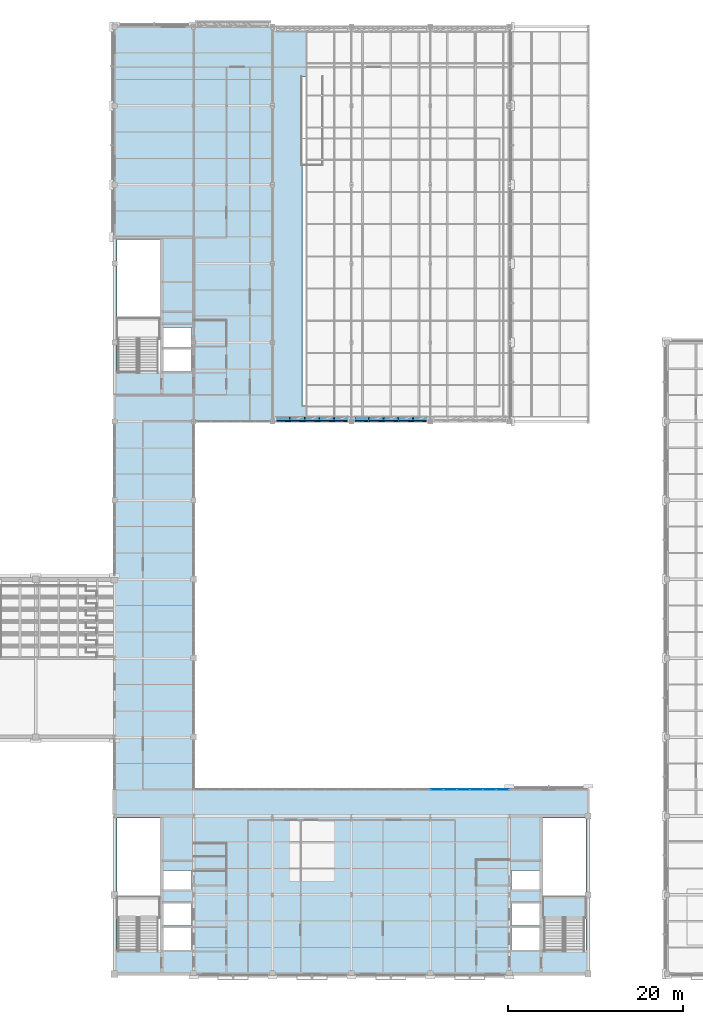
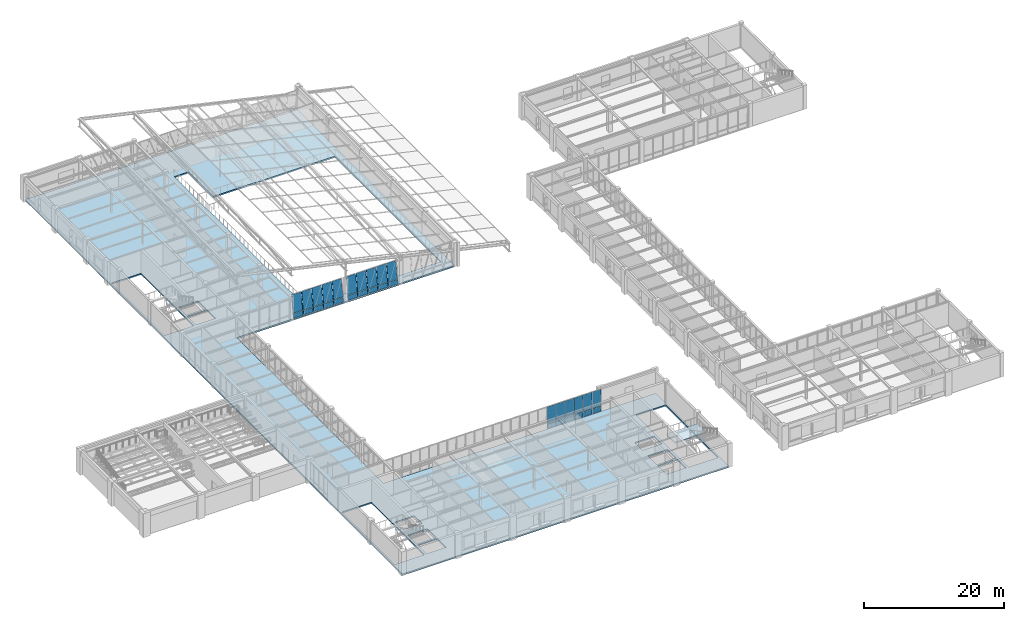
# One storey, part 103 of 130: 32 plates, 2 slabs, 8 openings, 4 elements without a shape of their own.
"""IFC4 building model written with IfcOpenShell, lengths in metres."""

import ifcopenshell
import ifcopenshell.guid

model = None  # the IFC model being written
_history = None  # IfcOwnerHistory: only IFC2X3 demands one
_inside = {}  # id of a spatial element -> (the spatial element, [elements in it])
_under = {}  # id of a project, library or spatial element -> (it, [spatial elements below it])
_declared = {}  # id of a project -> (the project, [libraries it declares])
_typed = {}  # id of a type object -> (the type object, [elements of that type])
_made_of = {}  # id of a material, layer set ... -> (it, [elements and type objects made of it])


def new_model(schema):
    """Start an empty IFC model of exactly this schema.

    Asked for "IFC4X3", IfcOpenShell would pick the latest addendum, in which some entities
    have other attributes; the version numbers below select the first issue.
    IFC2X3 requires an IfcOwnerHistory on every rooted entity: one is made here for all.
    """
    global model, _history
    if schema == "IFC4X3":
        model = ifcopenshell.file(schema_version=(4, 3, 0, 0))
    else:
        model = ifcopenshell.file(schema=schema)
    _inside.clear()
    _under.clear()
    _declared.clear()
    _typed.clear()
    _made_of.clear()
    _history = None
    if model.schema == "IFC2X3":
        org = make("IfcOrganization", Name="unknown")
        user = make(
            "IfcPersonAndOrganization",
            ThePerson=make("IfcPerson", FamilyName="unknown"),
            TheOrganization=org,
        )
        app = make(
            "IfcApplication",
            ApplicationDeveloper=org,
            Version="unknown",
            ApplicationFullName="unknown",
            ApplicationIdentifier="unknown",
        )
        _history = make(
            "IfcOwnerHistory",
            OwningUser=user,
            OwningApplication=app,
            ChangeAction="ADDED",
            CreationDate=0,
        )
    return model


def make(cls, **values):
    """One entity of the class cls with the attributes given. An attribute that is None is left unset."""
    return model.create_entity(
        cls, **{name: value for name, value in values.items() if value is not None}
    )


def rooted(cls, **values):
    """An entity with a GlobalId (a new one), such as an element, a storey or a relation."""
    return make(cls, GlobalId=ifcopenshell.guid.new(), OwnerHistory=_history, **values)


def si_unit(unit_type, name, prefix=None):
    """IfcSIUnit, for example si_unit("LENGTHUNIT", "METRE", prefix="MILLI")."""
    return make("IfcSIUnit", UnitType=unit_type, Prefix=prefix, Name=name)


def assignment(units):
    """IfcUnitAssignment: the units of a project."""
    return None if units is None else make("IfcUnitAssignment", Units=units)


def point(xyz):
    """IfcCartesianPoint."""
    return None if xyz is None else make("IfcCartesianPoint", Coordinates=xyz)


def direction(xyz):
    """IfcDirection."""
    return None if xyz is None else make("IfcDirection", DirectionRatios=xyz)


def frame(location, z_axis=None, x_axis=None):
    """IfcAxis2Placement3D, a coordinate frame: its origin and axes. An axis left out is left unset."""
    return make(
        "IfcAxis2Placement3D",
        Location=point(location),
        Axis=direction(z_axis),
        RefDirection=direction(x_axis),
    )


def frame_2d(location, x_axis=None):
    """IfcAxis2Placement2D, a coordinate frame in the plane: its origin and x axis."""
    return make(
        "IfcAxis2Placement2D", Location=point(location), RefDirection=direction(x_axis)
    )


def origin():
    """The frame at (0, 0, 0) with its axes left unset."""
    return frame((0.0, 0.0, 0.0))


def origin_2d():
    """The frame at (0, 0) in the plane with its x axis left unset."""
    return frame_2d((0.0, 0.0))


def place(relative_to, where):
    """IfcLocalPlacement: puts the frame where relative to a parent placement (None: the world)."""
    return make(
        "IfcLocalPlacement", PlacementRelTo=relative_to, RelativePlacement=where
    )


def context(
    kind, dimensions, precision=None, world=None, true_north=None, identifier=None
):
    """IfcGeometricRepresentationContext, for example the 3D "Model" context."""
    return make(
        "IfcGeometricRepresentationContext",
        ContextIdentifier=identifier,
        ContextType=kind,
        CoordinateSpaceDimension=dimensions,
        Precision=precision,
        WorldCoordinateSystem=world,
        TrueNorth=true_north,
    )


def subcontext(parent, identifier, kind, view, scale=None):
    """IfcGeometricRepresentationSubContext, for example "Body" below "Model"."""
    return make(
        "IfcGeometricRepresentationSubContext",
        ContextIdentifier=identifier,
        ContextType=kind,
        ParentContext=parent,
        TargetScale=scale,
        TargetView=view,
    )


def project(units=None, contexts=None):
    """IfcProject with its units and contexts."""
    return rooted(
        "IfcProject",
        Name="project",
        RepresentationContexts=contexts,
        UnitsInContext=assignment(units),
    )


def spatial(cls, under=None, at=None, **own):
    """A site, building, storey or space (cls), placed at a placement, below another one or the project."""
    s = rooted(cls, ObjectPlacement=at, **own)
    if under is not None:
        _under.setdefault(under.id(), (under, []))[1].append(s)
    return s


def polyline(points):
    """IfcPolyline through the points."""
    return make("IfcPolyline", Points=[point(p) for p in points])


def profile(cls, at=None, kind="AREA", **sizes):
    """A parametric profile (cls). Its sizes go by their IFC names, for example OverallWidth=200.0."""
    return make(cls, ProfileType=kind, Position=at, **sizes)


def rectangle(**sizes):
    """IfcRectangleProfileDef."""
    return profile("IfcRectangleProfileDef", **sizes)


def outline(outer, holes=None, kind="AREA"):
    """IfcArbitraryClosedProfileDef: a profile drawn as a closed curve; with holes, ...WithVoids."""
    if holes is None:
        return make("IfcArbitraryClosedProfileDef", ProfileType=kind, OuterCurve=outer)
    return make(
        "IfcArbitraryProfileDefWithVoids",
        ProfileType=kind,
        OuterCurve=outer,
        InnerCurves=holes,
    )


def extrude(swept, where, along, depth):
    """IfcExtrudedAreaSolid: the profile swept, set in the frame where, extruded along a direction by depth."""
    return make(
        "IfcExtrudedAreaSolid",
        SweptArea=swept,
        Position=where,
        ExtrudedDirection=direction(along),
        Depth=depth,
    )


def shape(context_of_items, identifier, shape_type, items):
    """IfcShapeRepresentation: the items that make up one representation, for example the "Body"."""
    return make(
        "IfcShapeRepresentation",
        ContextOfItems=context_of_items,
        RepresentationIdentifier=identifier,
        RepresentationType=shape_type,
        Items=items,
    )


def material(Name=None, Category=None):
    """IfcMaterial."""
    return make("IfcMaterial", Name=Name, Category=Category)


def layer(
    of_material, thickness, ventilated=None, Name=None, Category=None, Priority=None
):
    """IfcMaterialLayer: one layer of a wall or slab, of a material (None: an air gap)."""
    return make(
        "IfcMaterialLayer",
        Material=of_material,
        LayerThickness=thickness,
        IsVentilated=ventilated,
        Name=Name,
        Category=Category,
        Priority=Priority,
    )


def layer_set(layers, Name=None):
    """IfcMaterialLayerSet."""
    return make("IfcMaterialLayerSet", MaterialLayers=layers, LayerSetName=Name)


def made_of(thing, what):
    """Note that an element or type object is made of a material, layer set ...; save() writes the relation."""
    if what is not None:
        _made_of.setdefault(what.id(), (what, []))[1].append(thing)
    return thing


def type_object(cls, material=None, **own):
    """A type object (cls), such as IfcWallType, which elements share."""
    return made_of(rooted(cls, **own), material)


def element(
    cls,
    number,
    at=None,
    inside=None,
    cuts=None,
    type_object=None,
    material=None,
    context=None,
    identifier="Body",
    shape_type=None,
    held_by="IfcProductDefinitionShape",
    body=None,
    shapes=None,
    **own,
):
    """One element of the class cls, such as IfcWall. Its Tag is "e" and its number.

    at: its placement. inside: the storey or other place that contains it. cuts: it is an
    opening in that element (IfcRelVoidsElement). A single representation is given by context,
    identifier, shape_type and body (its items); several are given by shapes. held_by: the class
    of the entity that holds the representations. save() writes the other relations.
    """
    e = rooted(cls, Tag="e%d" % number, ObjectPlacement=at, **own)
    if body is not None:
        shapes = [shape(context, identifier, shape_type, body)]
    if shapes is not None:
        e.Representation = make(held_by, Representations=shapes)
    if inside is not None:
        _inside.setdefault(inside.id(), (inside, []))[1].append(e)
    if cuts is not None:
        rooted(
            "IfcRelVoidsElement", RelatingBuildingElement=cuts, RelatedOpeningElement=e
        )
    if type_object is not None:
        _typed.setdefault(type_object.id(), (type_object, []))[1].append(e)
    return made_of(e, material)


def aggregate(whole, parts):
    """IfcRelAggregates: a whole, such as a stair, and the parts it consists of."""
    return rooted("IfcRelAggregates", RelatingObject=whole, RelatedObjects=parts)


def save(model, path):
    """Write the relations noted so far, then the file.

    IfcRelAggregates (storeys below a building ...), IfcRelContainedInSpatialStructure (elements
    in a storey), IfcRelDefinesByType, IfcRelAssociatesMaterial and IfcRelDeclares: one each for
    every whole, place, type object, material and project.
    """
    for whole, parts in _under.values():
        aggregate(whole, parts)
    for where, things in _inside.values():
        rooted(
            "IfcRelContainedInSpatialStructure",
            RelatedElements=things,
            RelatingStructure=where,
        )
    for kind, things in _typed.values():
        rooted("IfcRelDefinesByType", RelatedObjects=things, RelatingType=kind)
    for what, things in _made_of.values():
        rooted("IfcRelAssociatesMaterial", RelatedObjects=things, RelatingMaterial=what)
    for by, libraries in _declared.values():
        rooted("IfcRelDeclares", RelatingContext=by, RelatedDefinitions=libraries)
    model.write(path)


model = new_model("IFC4")

# Units and contexts
model_context = context("Model", 3, precision=1e-05, world=origin(), true_north=direction((0.0, 1.0)))
body_context = subcontext(model_context, "Body", "Model", "MODEL_VIEW")
ifc_project = project(units=[si_unit("LENGTHUNIT", "METRE"), si_unit("AREAUNIT", "SQUARE_METRE"), si_unit("VOLUMEUNIT", "CUBIC_METRE"), si_unit("PLANEANGLEUNIT", "RADIAN"), si_unit("MASSUNIT", "GRAM", prefix="KILO")], contexts=[model_context])

# Site, building, storey
site_placement = place(None, origin())
site = spatial("IfcSite", under=ifc_project, at=site_placement, CompositionType="ELEMENT")
building_placement = place(site_placement, origin())
building = spatial("IfcBuilding", under=site, at=building_placement, Name="Lykobir Media Centre", CompositionType="ELEMENT")
storey_placement = place(building_placement, frame((0.0, 0.0, 19.199951171875)))
storey = spatial("IfcBuildingStorey", under=building, at=storey_placement, Name="L04", CompositionType="ELEMENT", Elevation=19.199951171875)

# Curtain wall, plates
ifc_material_1 = material(Name="Anodized Aluminium AW-6060", Category="aluminium")
curtain_wall_type_1 = type_object("IfcCurtainWallType", Name="CW-COURT-B", PredefinedType="NOTDEFINED", material=ifc_material_1)
curtain_wall_1_placement = place(storey_placement, origin())
curtain_wall_1 = element("IfcCurtainWall", 1, at=curtain_wall_1_placement, inside=storey, type_object=curtain_wall_type_1, Name="Curtain wall CW2-L04-0153", PredefinedType="NOTDEFINED")
ifc_material_2 = material(Name="Low-E Laminated Triple Glazing", Category="glass")
ifc_layer_1 = layer(ifc_material_2, 0.0380859375, Name="Low-E Laminated Triple Glazing")
ifc_layer_set_1 = layer_set([ifc_layer_1], Name="Low-E Laminated Triple Glazing")
plate_type_1 = type_object("IfcPlateType", Name="CWP-GLZ-38", PredefinedType="CURTAIN_PANEL", material=ifc_layer_set_1)
plate_1_placement = place(storey_placement, frame((63.763916015625, 21.0, 0.87744140625), z_axis=(0.0, 0.0, 1.0), x_axis=(1.0, 0.0, 0.0)))
plate_1 = element("IfcPlate", 2, at=plate_1_placement, type_object=plate_type_1, Name="CW2-L04-0153 panel 1.2", PredefinedType="CURTAIN_PANEL", context=body_context, shape_type="SweptSolid", body=[
    extrude(rectangle(XDim=1.41748046875, YDim=0.0380859375, at=origin_2d()), origin(), (0.0, 0.0, 1.0), 3.007568359375),
])
plate_2_placement = place(storey_placement, frame((65.25, 21.0, 0.87744140625), z_axis=(0.0, 0.0, 1.0), x_axis=(1.0, 0.0, 0.0)))
plate_2 = element("IfcPlate", 3, at=plate_2_placement, type_object=plate_type_1, Name="CW2-L04-0153 panel 2.2", PredefinedType="CURTAIN_PANEL", context=body_context, shape_type="SweptSolid", body=[
    extrude(rectangle(XDim=1.445068359375, YDim=0.0380859375, at=origin_2d()), origin(), (0.0, 0.0, 1.0), 3.007568359375),
])
plate_3_placement = place(storey_placement, frame((66.75, 21.0, 0.87744140625), z_axis=(0.0, 0.0, 1.0), x_axis=(1.0, 0.0, 0.0)))
plate_3 = element("IfcPlate", 4, at=plate_3_placement, type_object=plate_type_1, Name="CW2-L04-0153 panel 3.2", PredefinedType="CURTAIN_PANEL", context=body_context, shape_type="SweptSolid", body=[
    extrude(rectangle(XDim=1.445068359375, YDim=0.0380859375, at=origin_2d()), origin(), (0.0, 0.0, 1.0), 3.007568359375),
])
plate_4_placement = place(storey_placement, frame((68.25, 21.0, 0.87744140625), z_axis=(0.0, 0.0, 1.0), x_axis=(1.0, 0.0, 0.0)))
plate_4 = element("IfcPlate", 5, at=plate_4_placement, type_object=plate_type_1, Name="CW2-L04-0153 panel 4.2", PredefinedType="CURTAIN_PANEL", context=body_context, shape_type="SweptSolid", body=[
    extrude(rectangle(XDim=1.445068359375, YDim=0.0380859375, at=origin_2d()), origin(), (0.0, 0.0, 1.0), 3.007568359375),
])
plate_5_placement = place(storey_placement, frame((69.75, 21.0, 0.87744140625), z_axis=(0.0, 0.0, 1.0), x_axis=(1.0, 0.0, 0.0)))
plate_5 = element("IfcPlate", 6, at=plate_5_placement, type_object=plate_type_1, Name="CW2-L04-0153 panel 5.2", PredefinedType="CURTAIN_PANEL", context=body_context, shape_type="SweptSolid", body=[
    extrude(rectangle(XDim=1.445068359375, YDim=0.0380859375, at=origin_2d()), origin(), (0.0, 0.0, 1.0), 3.007568359375),
])
plate_6_placement = place(storey_placement, frame((71.236083984375, 21.0, 0.87744140625), z_axis=(0.0, 0.0, 1.0), x_axis=(1.0, 0.0, 0.0)))
plate_6 = element("IfcPlate", 7, at=plate_6_placement, type_object=plate_type_1, Name="CW2-L04-0153 panel 6.2", PredefinedType="CURTAIN_PANEL", context=body_context, shape_type="SweptSolid", body=[
    extrude(rectangle(XDim=1.41748046875, YDim=0.0380859375, at=origin_2d()), origin(), (0.0, 0.0, 1.0), 3.007568359375),
])

curtain_wall_type_2 = type_object("IfcCurtainWallType", Name="CW-V6-CR4", PredefinedType="NOTDEFINED", material=ifc_material_1)
curtain_wall_2_placement = place(storey_placement, origin())
curtain_wall_2 = element("IfcCurtainWall", 8, at=curtain_wall_2_placement, inside=storey, type_object=curtain_wall_type_2, Name="Curtain wall CW2-L04-0160", PredefinedType="NOTDEFINED")
ifc_layer_2 = layer(ifc_material_2, 0.0439453125, Name="Low-E Laminated Triple Glazing")
ifc_layer_set_2 = layer_set([ifc_layer_2], Name="Low-E Laminated Triple Glazing")
plate_type_2 = type_object("IfcPlateType", Name="CWP-GLZ-44", PredefinedType="CURTAIN_PANEL", material=ifc_layer_set_2)
plate_7_placement = place(storey_placement, frame((52.837158203125, 63.126708984375, 0.87841796875), z_axis=(0.0, 0.142628933706, 0.989776230908), x_axis=(-1.0, 0.0, 0.0)))
plate_7 = element("IfcPlate", 9, at=plate_7_placement, type_object=plate_type_2, Name="CW2-L04-0160 panel 1.2", PredefinedType="CURTAIN_PANEL", context=body_context, shape_type="SweptSolid", body=[
    extrude(rectangle(XDim=1.5654296875, YDim=0.0439453125, at=origin_2d()), origin(), (0.0, 0.0, 1.0), 3.018310546875),
])
plate_8_placement = place(storey_placement, frame((51.177978515625, 63.126708984375, 0.87841796875), z_axis=(0.0, 0.142628933706, 0.989776230908), x_axis=(-1.0, 0.0, 0.0)))
plate_8 = element("IfcPlate", 10, at=plate_8_placement, type_object=plate_type_2, Name="CW2-L04-0160 panel 2.2", PredefinedType="CURTAIN_PANEL", context=body_context, shape_type="SweptSolid", body=[
    extrude(rectangle(XDim=1.60302734375, YDim=0.0439453125, at=origin_2d()), origin(), (0.0, 0.0, 1.0), 3.018310546875),
])
plate_9_placement = place(storey_placement, frame((49.5, 63.126708984375, 0.87841796875), z_axis=(0.0, 0.142628933706, 0.989776230908), x_axis=(-1.0, 0.0, 0.0)))
plate_9 = element("IfcPlate", 11, at=plate_9_placement, type_object=plate_type_2, Name="CW2-L04-0160 panel 3.2", PredefinedType="CURTAIN_PANEL", context=body_context, shape_type="SweptSolid", body=[
    extrude(rectangle(XDim=1.60302734375, YDim=0.0439453125, at=origin_2d()), origin(), (0.0, 0.0, 1.0), 3.018310546875),
])
plate_10_placement = place(storey_placement, frame((47.822021484375, 63.126708984375, 0.87841796875), z_axis=(0.0, 0.142628933706, 0.989776230908), x_axis=(-1.0, 0.0, 0.0)))
plate_10 = element("IfcPlate", 12, at=plate_10_placement, type_object=plate_type_2, Name="CW2-L04-0160 panel 4.2", PredefinedType="CURTAIN_PANEL", context=body_context, shape_type="SweptSolid", body=[
    extrude(rectangle(XDim=1.60302734375, YDim=0.0439453125, at=origin_2d()), origin(), (0.0, 0.0, 1.0), 3.018310546875),
])
plate_11_placement = place(storey_placement, frame((46.162841796875, 63.126708984375, 0.87841796875), z_axis=(0.0, 0.142628933706, 0.989776230908), x_axis=(-1.0, 0.0, 0.0)))
plate_11 = element("IfcPlate", 13, at=plate_11_placement, type_object=plate_type_2, Name="CW2-L04-0160 panel 5.2", PredefinedType="CURTAIN_PANEL", context=body_context, shape_type="SweptSolid", body=[
    extrude(rectangle(XDim=1.5654296875, YDim=0.0439453125, at=origin_2d()), origin(), (0.0, 0.0, 1.0), 3.018310546875),
])

curtain_wall_3_placement = place(storey_placement, origin())
curtain_wall_3 = element("IfcCurtainWall", 14, at=curtain_wall_3_placement, inside=storey, type_object=curtain_wall_type_2, Name="Curtain wall CW2-L04-0161", PredefinedType="NOTDEFINED")
plate_12_placement = place(storey_placement, frame((61.837158203125, 63.126708984375, 0.87841796875), z_axis=(0.0, 0.142628933706, 0.989776230908), x_axis=(-1.0, 0.0, 0.0)))
plate_12 = element("IfcPlate", 15, at=plate_12_placement, type_object=plate_type_2, Name="CW2-L04-0161 panel 1.2", PredefinedType="CURTAIN_PANEL", context=body_context, shape_type="SweptSolid", body=[
    extrude(rectangle(XDim=1.5654296875, YDim=0.0439453125, at=origin_2d()), origin(), (0.0, 0.0, 1.0), 3.018310546875),
])
plate_13_placement = place(storey_placement, frame((60.177978515625, 63.126708984375, 0.87841796875), z_axis=(0.0, 0.142628933706, 0.989776230908), x_axis=(-1.0, 0.0, 0.0)))
plate_13 = element("IfcPlate", 16, at=plate_13_placement, type_object=plate_type_2, Name="CW2-L04-0161 panel 2.2", PredefinedType="CURTAIN_PANEL", context=body_context, shape_type="SweptSolid", body=[
    extrude(rectangle(XDim=1.60302734375, YDim=0.0439453125, at=origin_2d()), origin(), (0.0, 0.0, 1.0), 3.018310546875),
])
plate_14_placement = place(storey_placement, frame((58.5, 63.126708984375, 0.87841796875), z_axis=(0.0, 0.142628933706, 0.989776230908), x_axis=(-1.0, 0.0, 0.0)))
plate_14 = element("IfcPlate", 17, at=plate_14_placement, type_object=plate_type_2, Name="CW2-L04-0161 panel 3.2", PredefinedType="CURTAIN_PANEL", context=body_context, shape_type="SweptSolid", body=[
    extrude(rectangle(XDim=1.60302734375, YDim=0.0439453125, at=origin_2d()), origin(), (0.0, 0.0, 1.0), 3.018310546875),
])
plate_15_placement = place(storey_placement, frame((56.822021484375, 63.126708984375, 0.87841796875), z_axis=(0.0, 0.142628933706, 0.989776230908), x_axis=(-1.0, 0.0, 0.0)))
plate_15 = element("IfcPlate", 18, at=plate_15_placement, type_object=plate_type_2, Name="CW2-L04-0161 panel 4.2", PredefinedType="CURTAIN_PANEL", context=body_context, shape_type="SweptSolid", body=[
    extrude(rectangle(XDim=1.60302734375, YDim=0.0439453125, at=origin_2d()), origin(), (0.0, 0.0, 1.0), 3.018310546875),
])
plate_16_placement = place(storey_placement, frame((55.162841796875, 63.126708984375, 0.87841796875), z_axis=(0.0, 0.142628933706, 0.989776230908), x_axis=(-1.0, 0.0, 0.0)))
plate_16 = element("IfcPlate", 19, at=plate_16_placement, type_object=plate_type_2, Name="CW2-L04-0161 panel 5.2", PredefinedType="CURTAIN_PANEL", context=body_context, shape_type="SweptSolid", body=[
    extrude(rectangle(XDim=1.5654296875, YDim=0.0439453125, at=origin_2d()), origin(), (0.0, 0.0, 1.0), 3.018310546875),
])

# Plate
ifc_material_3 = material(Name="Pre-Weathered Titanium-Zinc", Category="metal")
ifc_layer_3 = layer(ifc_material_3, 0.052001953125, Name="Pre-Weathered Titanium-Zinc")
ifc_layer_set_3 = layer_set([ifc_layer_3], Name="Pre-Weathered Titanium-Zinc")
plate_type_3 = type_object("IfcPlateType", Name="CWP-SPN-52", PredefinedType="CURTAIN_PANEL", material=ifc_layer_set_3)
plate_17_placement = place(storey_placement, frame((63.763916015625, 21.0, 0.054931640625), z_axis=(0.0, 0.0, 1.0), x_axis=(1.0, 0.0, 0.0)))
plate_17 = element("IfcPlate", 20, at=plate_17_placement, type_object=plate_type_3, Name="CW2-L04-0153 panel 1.1", PredefinedType="CURTAIN_PANEL", context=body_context, shape_type="SweptSolid", body=[
    extrude(rectangle(XDim=1.41748046875, YDim=0.052001953125, at=origin_2d()), origin(), (0.0, 0.0, 1.0), 0.767578125),
])

plate_18_placement = place(storey_placement, frame((65.25, 21.0, 0.054931640625), z_axis=(0.0, 0.0, 1.0), x_axis=(1.0, 0.0, 0.0)))
plate_18 = element("IfcPlate", 21, at=plate_18_placement, type_object=plate_type_3, Name="CW2-L04-0153 panel 2.1", PredefinedType="CURTAIN_PANEL", context=body_context, shape_type="SweptSolid", body=[
    extrude(rectangle(XDim=1.445068359375, YDim=0.052001953125, at=origin_2d()), origin(), (0.0, 0.0, 1.0), 0.767578125),
])

plate_19_placement = place(storey_placement, frame((66.75, 21.0, 0.054931640625), z_axis=(0.0, 0.0, 1.0), x_axis=(1.0, 0.0, 0.0)))
plate_19 = element("IfcPlate", 22, at=plate_19_placement, type_object=plate_type_3, Name="CW2-L04-0153 panel 3.1", PredefinedType="CURTAIN_PANEL", context=body_context, shape_type="SweptSolid", body=[
    extrude(rectangle(XDim=1.445068359375, YDim=0.052001953125, at=origin_2d()), origin(), (0.0, 0.0, 1.0), 0.767578125),
])

plate_20_placement = place(storey_placement, frame((68.25, 21.0, 0.054931640625), z_axis=(0.0, 0.0, 1.0), x_axis=(1.0, 0.0, 0.0)))
plate_20 = element("IfcPlate", 23, at=plate_20_placement, type_object=plate_type_3, Name="CW2-L04-0153 panel 4.1", PredefinedType="CURTAIN_PANEL", context=body_context, shape_type="SweptSolid", body=[
    extrude(rectangle(XDim=1.445068359375, YDim=0.052001953125, at=origin_2d()), origin(), (0.0, 0.0, 1.0), 0.767578125),
])

plate_21_placement = place(storey_placement, frame((69.75, 21.0, 0.054931640625), z_axis=(0.0, 0.0, 1.0), x_axis=(1.0, 0.0, 0.0)))
plate_21 = element("IfcPlate", 24, at=plate_21_placement, type_object=plate_type_3, Name="CW2-L04-0153 panel 5.1", PredefinedType="CURTAIN_PANEL", context=body_context, shape_type="SweptSolid", body=[
    extrude(rectangle(XDim=1.445068359375, YDim=0.052001953125, at=origin_2d()), origin(), (0.0, 0.0, 1.0), 0.767578125),
])

plate_22_placement = place(storey_placement, frame((71.236083984375, 21.0, 0.054931640625), z_axis=(0.0, 0.0, 1.0), x_axis=(1.0, 0.0, 0.0)))
plate_22 = element("IfcPlate", 25, at=plate_22_placement, type_object=plate_type_3, Name="CW2-L04-0153 panel 6.1", PredefinedType="CURTAIN_PANEL", context=body_context, shape_type="SweptSolid", body=[
    extrude(rectangle(XDim=1.41748046875, YDim=0.052001953125, at=origin_2d()), origin(), (0.0, 0.0, 1.0), 0.767578125),
])

aggregate(curtain_wall_1, [plate_17, plate_1, plate_18, plate_2, plate_19, plate_3, plate_20, plate_4, plate_21, plate_5, plate_22, plate_6])

plate_23_placement = place(storey_placement, frame((52.837158203125, 63.0107421875, 0.07421875), z_axis=(0.0, 0.142628933706, 0.989776230908), x_axis=(-1.0, 0.0, 0.0)))
plate_23 = element("IfcPlate", 26, at=plate_23_placement, type_object=plate_type_3, Name="CW2-L04-0160 panel 1.1", PredefinedType="CURTAIN_PANEL", context=body_context, shape_type="SweptSolid", body=[
    extrude(rectangle(XDim=1.5654296875, YDim=0.052001953125, at=origin_2d()), origin(), (0.0, 0.0, 1.0), 0.737548828125),
])

plate_24_placement = place(storey_placement, frame((51.177978515625, 63.0107421875, 0.07421875), z_axis=(0.0, 0.142628933706, 0.989776230908), x_axis=(-1.0, 0.0, 0.0)))
plate_24 = element("IfcPlate", 27, at=plate_24_placement, type_object=plate_type_3, Name="CW2-L04-0160 panel 2.1", PredefinedType="CURTAIN_PANEL", context=body_context, shape_type="SweptSolid", body=[
    extrude(rectangle(XDim=1.60302734375, YDim=0.052001953125, at=origin_2d()), origin(), (0.0, 0.0, 1.0), 0.737548828125),
])

plate_25_placement = place(storey_placement, frame((49.5, 63.0107421875, 0.07421875), z_axis=(0.0, 0.142628933706, 0.989776230908), x_axis=(-1.0, 0.0, 0.0)))
plate_25 = element("IfcPlate", 28, at=plate_25_placement, type_object=plate_type_3, Name="CW2-L04-0160 panel 3.1", PredefinedType="CURTAIN_PANEL", context=body_context, shape_type="SweptSolid", body=[
    extrude(rectangle(XDim=1.60302734375, YDim=0.052001953125, at=origin_2d()), origin(), (0.0, 0.0, 1.0), 0.737548828125),
])

plate_26_placement = place(storey_placement, frame((47.822021484375, 63.0107421875, 0.07421875), z_axis=(0.0, 0.142628933706, 0.989776230908), x_axis=(-1.0, 0.0, 0.0)))
plate_26 = element("IfcPlate", 29, at=plate_26_placement, type_object=plate_type_3, Name="CW2-L04-0160 panel 4.1", PredefinedType="CURTAIN_PANEL", context=body_context, shape_type="SweptSolid", body=[
    extrude(rectangle(XDim=1.60302734375, YDim=0.052001953125, at=origin_2d()), origin(), (0.0, 0.0, 1.0), 0.737548828125),
])

plate_27_placement = place(storey_placement, frame((46.162841796875, 63.0107421875, 0.07421875), z_axis=(0.0, 0.142628933706, 0.989776230908), x_axis=(-1.0, 0.0, 0.0)))
plate_27 = element("IfcPlate", 30, at=plate_27_placement, type_object=plate_type_3, Name="CW2-L04-0160 panel 5.1", PredefinedType="CURTAIN_PANEL", context=body_context, shape_type="SweptSolid", body=[
    extrude(rectangle(XDim=1.5654296875, YDim=0.052001953125, at=origin_2d()), origin(), (0.0, 0.0, 1.0), 0.737548828125),
])

aggregate(curtain_wall_2, [plate_23, plate_7, plate_24, plate_8, plate_25, plate_9, plate_26, plate_10, plate_27, plate_11])

plate_28_placement = place(storey_placement, frame((61.837158203125, 63.0107421875, 0.07421875), z_axis=(0.0, 0.142628933706, 0.989776230908), x_axis=(-1.0, 0.0, 0.0)))
plate_28 = element("IfcPlate", 31, at=plate_28_placement, type_object=plate_type_3, Name="CW2-L04-0161 panel 1.1", PredefinedType="CURTAIN_PANEL", context=body_context, shape_type="SweptSolid", body=[
    extrude(rectangle(XDim=1.5654296875, YDim=0.052001953125, at=origin_2d()), origin(), (0.0, 0.0, 1.0), 0.737548828125),
])

plate_29_placement = place(storey_placement, frame((60.177978515625, 63.0107421875, 0.07421875), z_axis=(0.0, 0.142628933706, 0.989776230908), x_axis=(-1.0, 0.0, 0.0)))
plate_29 = element("IfcPlate", 32, at=plate_29_placement, type_object=plate_type_3, Name="CW2-L04-0161 panel 2.1", PredefinedType="CURTAIN_PANEL", context=body_context, shape_type="SweptSolid", body=[
    extrude(rectangle(XDim=1.60302734375, YDim=0.052001953125, at=origin_2d()), origin(), (0.0, 0.0, 1.0), 0.737548828125),
])

plate_30_placement = place(storey_placement, frame((58.5, 63.0107421875, 0.07421875), z_axis=(0.0, 0.142628933706, 0.989776230908), x_axis=(-1.0, 0.0, 0.0)))
plate_30 = element("IfcPlate", 33, at=plate_30_placement, type_object=plate_type_3, Name="CW2-L04-0161 panel 3.1", PredefinedType="CURTAIN_PANEL", context=body_context, shape_type="SweptSolid", body=[
    extrude(rectangle(XDim=1.60302734375, YDim=0.052001953125, at=origin_2d()), origin(), (0.0, 0.0, 1.0), 0.737548828125),
])

plate_31_placement = place(storey_placement, frame((56.822021484375, 63.0107421875, 0.07421875), z_axis=(0.0, 0.142628933706, 0.989776230908), x_axis=(-1.0, 0.0, 0.0)))
plate_31 = element("IfcPlate", 34, at=plate_31_placement, type_object=plate_type_3, Name="CW2-L04-0161 panel 4.1", PredefinedType="CURTAIN_PANEL", context=body_context, shape_type="SweptSolid", body=[
    extrude(rectangle(XDim=1.60302734375, YDim=0.052001953125, at=origin_2d()), origin(), (0.0, 0.0, 1.0), 0.737548828125),
])

plate_32_placement = place(storey_placement, frame((55.162841796875, 63.0107421875, 0.07421875), z_axis=(0.0, 0.142628933706, 0.989776230908), x_axis=(-1.0, 0.0, 0.0)))
plate_32 = element("IfcPlate", 35, at=plate_32_placement, type_object=plate_type_3, Name="CW2-L04-0161 panel 5.1", PredefinedType="CURTAIN_PANEL", context=body_context, shape_type="SweptSolid", body=[
    extrude(rectangle(XDim=1.5654296875, YDim=0.052001953125, at=origin_2d()), origin(), (0.0, 0.0, 1.0), 0.737548828125),
])

aggregate(curtain_wall_3, [plate_28, plate_12, plate_29, plate_13, plate_30, plate_14, plate_31, plate_15, plate_32, plate_16])

# Slab, openings
ifc_material_4 = material(Name="Concrete C30/37", Category="concrete")
ifc_layer_4 = layer(ifc_material_4, 0.239990234375, Name="Concrete C30/37")
ifc_layer_set_4 = layer_set([ifc_layer_4], Name="Concrete C30/37")
slab_type_1 = type_object("IfcSlabType", Name="FS-240", PredefinedType="FLOOR", material=ifc_layer_set_4)
slab_1_placement = place(storey_placement, frame((0.0, 0.0, -0.239990234375)))
slab_1 = element("IfcSlab", 36, at=slab_1_placement, inside=storey, type_object=slab_type_1, Name="L04 structural slab 1", PredefinedType="FLOOR", context=body_context, shape_type="SweptSolid", body=[
    extrude(outline(polyline([(36.0, 63.0), (72.0, 63.0), (72.0, 108.0), (27.0, 108.0), (27.0, 63.0), (27.0, 21.0), (27.0, 0.0), (81.0, 0.0), (81.0, 21.0), (36.0, 21.0), (36.0, 63.0)]), holes=[polyline([(32.14990234375, 2.64990234375), (27.25, 2.64990234375), (27.25, 17.75), (32.14990234375, 17.75), (32.14990234375, 2.64990234375)]), polyline([(80.75, 2.64990234375), (75.85009765625, 2.64990234375), (75.85009765625, 17.75), (80.75, 17.75), (80.75, 2.64990234375)]), polyline([(32.14990234375, 68.64990234375), (27.25, 68.64990234375), (27.25, 83.75), (32.14990234375, 83.75), (32.14990234375, 68.64990234375)]), polyline([(70.800048828125, 64.800048828125), (48.39990234375, 64.800048828125), (48.39990234375, 92.320068359375), (48.320068359375, 92.320068359375), (48.320068359375, 102.280029296875), (50.679931640625, 102.280029296875), (50.679931640625, 95.199951171875), (70.800048828125, 95.199951171875), (70.800048828125, 64.800048828125)])]), origin(), (0.0, 0.0, 1.0), 0.239990234375),
])
opening_1_placement = place(slab_1_placement, frame((34.14990234375, 3.949951171875, 0.0)))
element("IfcOpeningElement", 37, at=opening_1_placement, cuts=slab_1, Name="Shaft opening C1-pass_shaft-L04", PredefinedType="OPENING", context=body_context, shape_type="SweptSolid", body=[
    extrude(rectangle(XDim=3.199951171875, YDim=2.5, at=origin_2d()), origin(), (0.0, 0.0, 1.0), 0.239990234375),
])
opening_2_placement = place(slab_1_placement, frame((34.14990234375, 6.75, 0.0)))
element("IfcOpeningElement", 38, at=opening_2_placement, cuts=slab_1, Name="Shaft opening C1-ff_shaft-L04", PredefinedType="OPENING", context=body_context, shape_type="SweptSolid", body=[
    extrude(rectangle(XDim=3.199951171875, YDim=2.5, at=origin_2d()), origin(), (0.0, 0.0, 1.0), 0.239990234375),
])
opening_3_placement = place(slab_1_placement, frame((34.14990234375, 10.699951171875, 0.0)))
element("IfcOpeningElement", 39, at=opening_3_placement, cuts=slab_1, Name="Shaft opening C1-riser_shaft-L04", PredefinedType="OPENING", context=body_context, shape_type="SweptSolid", body=[
    extrude(rectangle(XDim=3.199951171875, YDim=2.199951171875, at=origin_2d()), origin(), (0.0, 0.0, 1.0), 0.239990234375),
])
opening_4_placement = place(slab_1_placement, frame((73.85009765625, 3.949951171875, 0.0)))
element("IfcOpeningElement", 40, at=opening_4_placement, cuts=slab_1, Name="Shaft opening C2-pass_shaft-L04", PredefinedType="OPENING", context=body_context, shape_type="SweptSolid", body=[
    extrude(rectangle(XDim=3.199951171875, YDim=2.5, at=origin_2d()), origin(), (0.0, 0.0, 1.0), 0.239990234375),
])
opening_5_placement = place(slab_1_placement, frame((73.85009765625, 6.75, 0.0)))
element("IfcOpeningElement", 41, at=opening_5_placement, cuts=slab_1, Name="Shaft opening C2-ff_shaft-L04", PredefinedType="OPENING", context=body_context, shape_type="SweptSolid", body=[
    extrude(rectangle(XDim=3.199951171875, YDim=2.5, at=origin_2d()), origin(), (0.0, 0.0, 1.0), 0.239990234375),
])
opening_6_placement = place(slab_1_placement, frame((73.85009765625, 10.699951171875, 0.0)))
element("IfcOpeningElement", 42, at=opening_6_placement, cuts=slab_1, Name="Shaft opening C2-riser_shaft-L04", PredefinedType="OPENING", context=body_context, shape_type="SweptSolid", body=[
    extrude(rectangle(XDim=3.199951171875, YDim=2.199951171875, at=origin_2d()), origin(), (0.0, 0.0, 1.0), 0.239990234375),
])
opening_7_placement = place(slab_1_placement, frame((34.14990234375, 69.949951171875, 0.0)))
element("IfcOpeningElement", 43, at=opening_7_placement, cuts=slab_1, Name="Shaft opening C3-pass_shaft-L04", PredefinedType="OPENING", context=body_context, shape_type="SweptSolid", body=[
    extrude(rectangle(XDim=3.199951171875, YDim=2.5, at=origin_2d()), origin(), (0.0, 0.0, 1.0), 0.239990234375),
])
opening_8_placement = place(slab_1_placement, frame((34.14990234375, 72.60009765625, 0.0)))
element("IfcOpeningElement", 44, at=opening_8_placement, cuts=slab_1, Name="Shaft opening C3-riser_shaft-L04", PredefinedType="OPENING", context=body_context, shape_type="SweptSolid", body=[
    extrude(rectangle(XDim=3.199951171875, YDim=2.199951171875, at=origin_2d()), origin(), (0.0, 0.0, 1.0), 0.239990234375),
])

# Stair, slab
stair_type = type_object("IfcStairType", Name="ST-HT-420", PredefinedType="HALF_TURN_STAIR", material=ifc_material_4)
stair_placement = place(storey_placement, origin())
stair = element("IfcStair", 45, at=stair_placement, inside=storey, type_object=stair_type, Name="Escape stair ST-2 L04", PredefinedType="HALF_TURN_STAIR")
ifc_layer_5 = layer(ifc_material_4, 0.195068359375, Name="Concrete C30/37")
ifc_layer_set_5 = layer_set([ifc_layer_5], Name="Concrete C30/37")
slab_type_2 = type_object("IfcSlabType", Name="SL-195", PredefinedType="LANDING", material=ifc_layer_set_5)
slab_2_placement = place(storey_placement, frame((0.0, 0.0, 1.905029296875)))
slab_2 = element("IfcSlab", 46, at=slab_2_placement, type_object=slab_type_2, Name="ST-2-L04 landing 1", PredefinedType="LANDING", context=body_context, shape_type="SweptSolid", body=[
    extrude(outline(polyline([(75.72998046875, 6.35009765625), (80.8701171875, 6.35009765625), (80.8701171875, 8.830078125), (75.72998046875, 8.830078125), (75.72998046875, 6.35009765625)])), origin(), (0.0, 0.0, 1.0), 0.195068359375),
])
aggregate(stair, [slab_2])

save(model, "model.ifc")
